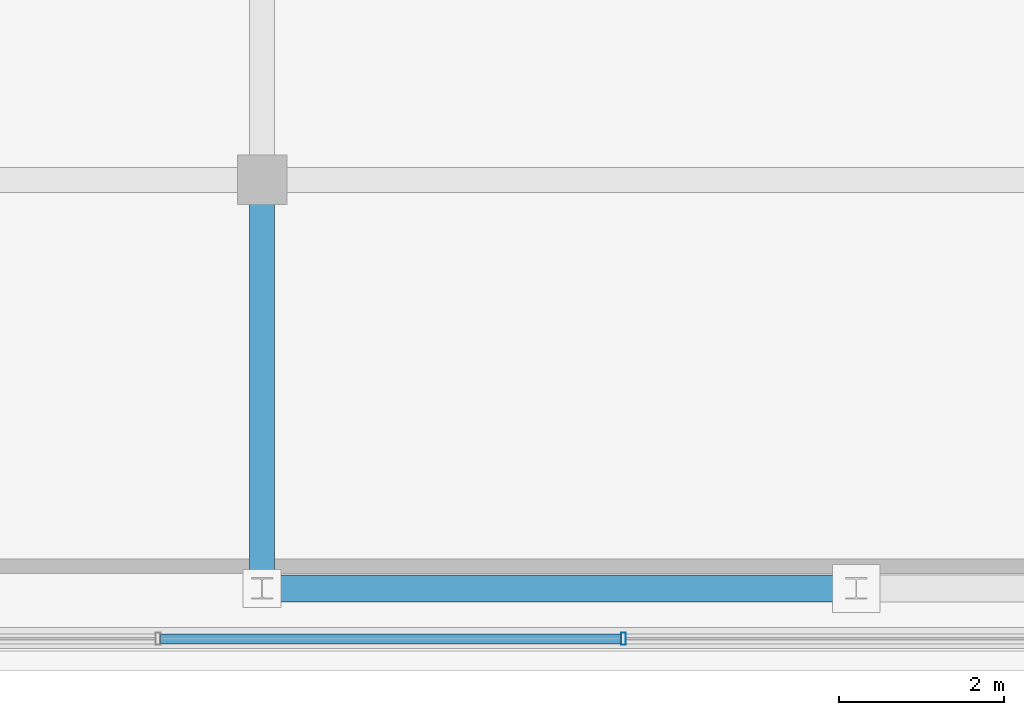
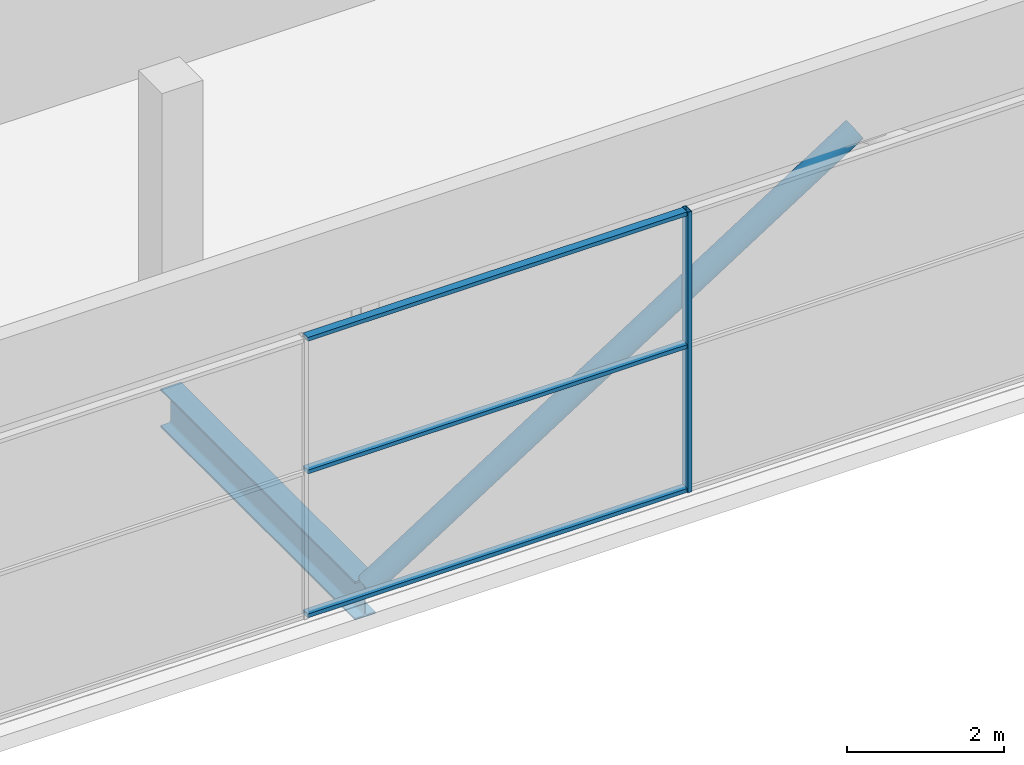
# One storey, part 4 of 22: 5 members, 1 beam, 1 element without a shape of its own.
"""IFC4 building model written with IfcOpenShell, lengths in metres."""

from ifc_helpers import new_model, si_unit, direction, frame, origin, origin_2d, place, context, subcontext, project, spatial, hollow_rectangle, hollow_circle, i_section, extrude, source, transform, mapped, material, layer, layer_set, material_profile, profile_set, type_object, element, aggregate, save


model = new_model("IFC4")

# Units and contexts
model_context = context("Model", 3, precision=1e-05, world=origin(), true_north=direction((0.0, 1.0)))
body_context = subcontext(model_context, "Body", "Model", "MODEL_VIEW")
ifc_project = project(units=[si_unit("LENGTHUNIT", "METRE"), si_unit("AREAUNIT", "SQUARE_METRE"), si_unit("VOLUMEUNIT", "CUBIC_METRE"), si_unit("PLANEANGLEUNIT", "RADIAN"), si_unit("MASSUNIT", "GRAM", prefix="KILO")], contexts=[model_context])

# Site, building, storey
site_placement = place(None, origin())
site = spatial("IfcSite", under=ifc_project, at=site_placement, CompositionType="ELEMENT")
building_placement = place(site_placement, origin())
building = spatial("IfcBuilding", under=site, at=building_placement, Name="Zarnakvel Exchange Tower", CompositionType="ELEMENT")
storey_placement = place(building_placement, frame((0.0, 0.0, 299.199951171875)))
storey = spatial("IfcBuildingStorey", under=building, at=storey_placement, Name="Crown L83", CompositionType="ELEMENT", Elevation=299.199951171875)

# Beam
ifc_material_1 = material(Name="Steel S355", Category="steel")
ifc_material_profile_1 = material_profile(ifc_material_1, i_section(OverallWidth=0.300048828125, OverallDepth=0.60009765625, WebThickness=0.015380859375, FlangeThickness=0.030029296875, FilletRadius=0.027099609375, at=origin_2d()))
ifc_profile_set_1 = profile_set([ifc_material_profile_1], Name="Steel S355")
beam_type = type_object("IfcBeamType", Name="G-04", PredefinedType="BEAM", material=ifc_profile_set_1)
beam_placement = place(storey_placement, frame((-7.199951171875, -14.550048828125, -0.52001953125), z_axis=(0.0, 1.0, 0.0), x_axis=(-1.0, 0.0, 0.0)))
element("IfcBeam", 1, at=beam_placement, inside=storey, type_object=beam_type, Name="Crown L83 Tower N-S Frame Beam", PredefinedType="BEAM", context=body_context, shape_type="SweptSolid", body=[
    extrude(i_section(OverallWidth=0.300048828125, OverallDepth=0.60009765625, WebThickness=0.015380859375, FlangeThickness=0.030029296875, FilletRadius=0.027099609375, at=origin_2d()), origin(), (0.0, 0.0, 1.0), 4.949951171875),
])

# Member
ifc_material_profile_2 = material_profile(ifc_material_1, hollow_circle(Radius=0.161865234375, WallThickness=0.01611328125, at=origin_2d()))
ifc_profile_set_2 = profile_set([ifc_material_profile_2], Name="Steel S355")
member_type_1 = type_object("IfcMemberType", Name="CF-03", PredefinedType="BRACE", material=ifc_profile_set_2)
shared_shape_1 = source(origin(), body_context, "Body", "SweptSolid", [
    extrude(hollow_circle(Radius=0.161865234375, WallThickness=0.01611328125, at=origin_2d()), origin(), (0.0, 0.0, 1.0), 8.5439453125),
])
member_1_placement = place(storey_placement, frame((-7.199951171875, -14.550048828125, -0.35986328125), z_axis=(0.842702381832, 0.0, 0.53837969469), x_axis=(0.0, 1.0, 0.0)))
element("IfcMember", 2, at=member_1_placement, inside=storey, type_object=member_type_1, Name="Crown L83 Crown Chevron Brace L (CF-03)", PredefinedType="BRACE", context=body_context, shape_type="MappedRepresentation", body=[
    mapped(shared_shape_1, transform((0.0, 0.0, 0.0), x_axis=(1.0, 0.0, 0.0), y_axis=(0.0, 1.0, 0.0), z_axis=(0.0, 0.0, 1.0), scale=1.0)),
])

# Curtain wall, members
ifc_material_2 = material(Name="Architectural Bronze Anodised Aluminium", Category="aluminium")
ifc_layer = layer(ifc_material_2, 0.14990234375)
ifc_layer_set = layer_set([ifc_layer], Name="Architectural Bronze Anodised Aluminium")
curtain_wall_type = type_object("IfcCurtainWallType", Name="CW-07", PredefinedType="NOTDEFINED", material=ifc_layer_set)
curtain_wall_placement = place(storey_placement, origin())
curtain_wall = element("IfcCurtainWall", 3, at=curtain_wall_placement, inside=storey, type_object=curtain_wall_type, Name="Crown L83 Curtain Wall CW-Crown L83-S (CW-07)", PredefinedType="NOTDEFINED")
ifc_material_profile_3 = material_profile(ifc_material_2, hollow_rectangle(XDim=0.14990234375, YDim=0.06005859375, WallThickness=0.00390625, at=origin_2d()))
ifc_profile_set_3 = profile_set([ifc_material_profile_3], Name="Architectural Bronze Anodised Aluminium")
member_type_2 = type_object("IfcMemberType", Name="CWM-07", PredefinedType="MULLION", material=ifc_profile_set_3)
shared_shape_2 = source(origin(), body_context, "Body", "SweptSolid", [
    extrude(hollow_rectangle(XDim=0.14990234375, YDim=0.06005859375, WallThickness=0.00390625, at=origin_2d()), origin(), (0.0, 0.0, 1.0), 4.360107421875),
])
member_2_placement = place(storey_placement, frame((-2.820068359375, -15.159912109375, 0.0), z_axis=(0.0, 0.0, 1.0), x_axis=(0.0, 1.0, 0.0)))
member_2 = element("IfcMember", 4, at=member_2_placement, type_object=member_type_2, Name="CW-07 mullion 3", PredefinedType="MULLION", context=body_context, shape_type="MappedRepresentation", body=[
    mapped(shared_shape_2, transform((0.0, 0.0, 0.0), x_axis=(1.0, 0.0, 0.0), y_axis=(0.0, 1.0, 0.0), z_axis=(0.0, 0.0, 1.0), scale=1.0)),
])
ifc_material_profile_4 = material_profile(ifc_material_2, hollow_rectangle(XDim=0.1201171875, YDim=0.06005859375, WallThickness=0.00390625, at=origin_2d()))
ifc_profile_set_4 = profile_set([ifc_material_profile_4], Name="Architectural Bronze Anodised Aluminium")
member_type_3 = type_object("IfcMemberType", Name="CWT-07", PredefinedType="USERDEFINED", material=ifc_profile_set_4)
shared_shape_3 = source(origin(), body_context, "Body", "SweptSolid", [
    extrude(hollow_rectangle(XDim=0.1201171875, YDim=0.06005859375, WallThickness=0.00390625, at=origin_2d()), origin(), (0.0, 0.0, 1.0), 5.579833984375),
])
member_3_placement = place(storey_placement, frame((-8.429931640625, -15.159912109375, 0.030029296875), z_axis=(1.0, 0.0, 0.0), x_axis=(0.0, 1.0, 0.0)))
member_3 = element("IfcMember", 5, at=member_3_placement, type_object=member_type_3, Name="CW-07 transom 2.1", ObjectType="TRANSOM", PredefinedType="USERDEFINED", context=body_context, shape_type="MappedRepresentation", body=[
    mapped(shared_shape_3, transform((0.0, 0.0, 0.0), x_axis=(1.0, 0.0, 0.0), y_axis=(0.0, 1.0, 0.0), z_axis=(0.0, 0.0, 1.0), scale=1.0)),
])
member_4_placement = place(storey_placement, frame((-8.429931640625, -15.159912109375, 2.267333984375), z_axis=(1.0, 0.0, 0.0), x_axis=(0.0, 1.0, 0.0)))
member_4 = element("IfcMember", 6, at=member_4_placement, type_object=member_type_3, Name="CW-07 transom 2.2", ObjectType="TRANSOM", PredefinedType="USERDEFINED", context=body_context, shape_type="MappedRepresentation", body=[
    mapped(shared_shape_3, transform((0.0, 0.0, 0.0), x_axis=(1.0, 0.0, 0.0), y_axis=(0.0, 1.0, 0.0), z_axis=(0.0, 0.0, 1.0), scale=1.0)),
])
member_5_placement = place(storey_placement, frame((-8.429931640625, -15.159912109375, 4.330078125), z_axis=(1.0, 0.0, 0.0), x_axis=(0.0, 1.0, 0.0)))
member_5 = element("IfcMember", 7, at=member_5_placement, type_object=member_type_3, Name="CW-07 transom 2.3", ObjectType="TRANSOM", PredefinedType="USERDEFINED", context=body_context, shape_type="MappedRepresentation", body=[
    mapped(shared_shape_3, transform((0.0, 0.0, 0.0), x_axis=(1.0, 0.0, 0.0), y_axis=(0.0, 1.0, 0.0), z_axis=(0.0, 0.0, 1.0), scale=1.0)),
])
aggregate(curtain_wall, [member_2, member_3, member_4, member_5])

save(model, "model.ifc")
